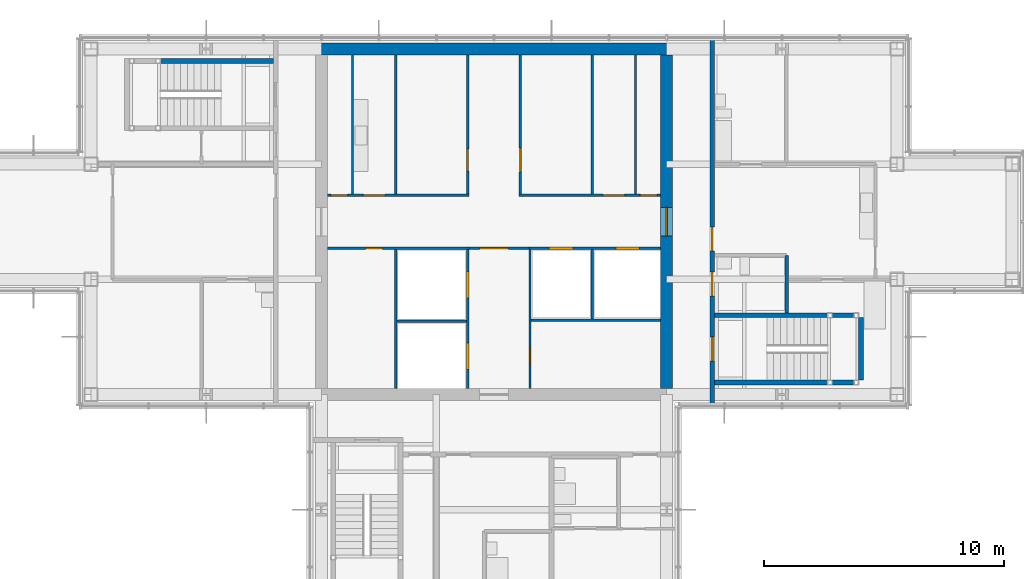
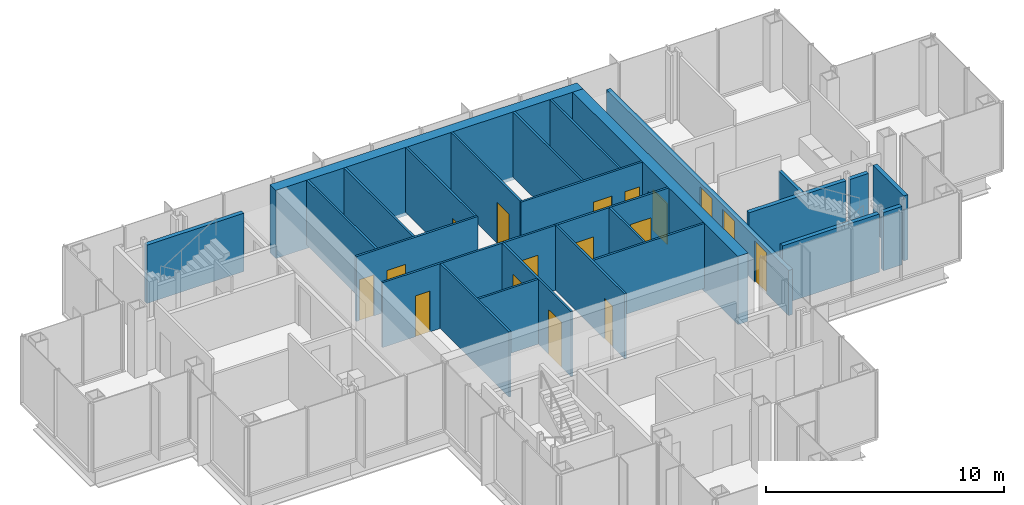
# One storey, part 11 of 15: 27 walls, 17 doors, 17 openings.
"""IFC4 building model written with IfcOpenShell, lengths in metres."""

import ifcopenshell
import ifcopenshell.guid

model = None  # the IFC model being written
_history = None  # IfcOwnerHistory: only IFC2X3 demands one
_inside = {}  # id of a spatial element -> (the spatial element, [elements in it])
_under = {}  # id of a project, library or spatial element -> (it, [spatial elements below it])
_declared = {}  # id of a project -> (the project, [libraries it declares])
_typed = {}  # id of a type object -> (the type object, [elements of that type])
_made_of = {}  # id of a material, layer set ... -> (it, [elements and type objects made of it])


def new_model(schema):
    """Start an empty IFC model of exactly this schema.

    Asked for "IFC4X3", IfcOpenShell would pick the latest addendum, in which some entities
    have other attributes; the version numbers below select the first issue.
    IFC2X3 requires an IfcOwnerHistory on every rooted entity: one is made here for all.
    """
    global model, _history
    if schema == "IFC4X3":
        model = ifcopenshell.file(schema_version=(4, 3, 0, 0))
    else:
        model = ifcopenshell.file(schema=schema)
    _inside.clear()
    _under.clear()
    _declared.clear()
    _typed.clear()
    _made_of.clear()
    _history = None
    if model.schema == "IFC2X3":
        org = make("IfcOrganization", Name="unknown")
        user = make(
            "IfcPersonAndOrganization",
            ThePerson=make("IfcPerson", FamilyName="unknown"),
            TheOrganization=org,
        )
        app = make(
            "IfcApplication",
            ApplicationDeveloper=org,
            Version="unknown",
            ApplicationFullName="unknown",
            ApplicationIdentifier="unknown",
        )
        _history = make(
            "IfcOwnerHistory",
            OwningUser=user,
            OwningApplication=app,
            ChangeAction="ADDED",
            CreationDate=0,
        )
    return model


def make(cls, **values):
    """One entity of the class cls with the attributes given. An attribute that is None is left unset."""
    return model.create_entity(
        cls, **{name: value for name, value in values.items() if value is not None}
    )


def rooted(cls, **values):
    """An entity with a GlobalId (a new one), such as an element, a storey or a relation."""
    return make(cls, GlobalId=ifcopenshell.guid.new(), OwnerHistory=_history, **values)


def si_unit(unit_type, name, prefix=None):
    """IfcSIUnit, for example si_unit("LENGTHUNIT", "METRE", prefix="MILLI")."""
    return make("IfcSIUnit", UnitType=unit_type, Prefix=prefix, Name=name)


def assignment(units):
    """IfcUnitAssignment: the units of a project."""
    return None if units is None else make("IfcUnitAssignment", Units=units)


def point(xyz):
    """IfcCartesianPoint."""
    return None if xyz is None else make("IfcCartesianPoint", Coordinates=xyz)


def direction(xyz):
    """IfcDirection."""
    return None if xyz is None else make("IfcDirection", DirectionRatios=xyz)


def frame(location, z_axis=None, x_axis=None):
    """IfcAxis2Placement3D, a coordinate frame: its origin and axes. An axis left out is left unset."""
    return make(
        "IfcAxis2Placement3D",
        Location=point(location),
        Axis=direction(z_axis),
        RefDirection=direction(x_axis),
    )


def frame_2d(location, x_axis=None):
    """IfcAxis2Placement2D, a coordinate frame in the plane: its origin and x axis."""
    return make(
        "IfcAxis2Placement2D", Location=point(location), RefDirection=direction(x_axis)
    )


def origin():
    """The frame at (0, 0, 0) with its axes left unset."""
    return frame((0.0, 0.0, 0.0))


def place(relative_to, where):
    """IfcLocalPlacement: puts the frame where relative to a parent placement (None: the world)."""
    return make(
        "IfcLocalPlacement", PlacementRelTo=relative_to, RelativePlacement=where
    )


def context(
    kind, dimensions, precision=None, world=None, true_north=None, identifier=None
):
    """IfcGeometricRepresentationContext, for example the 3D "Model" context."""
    return make(
        "IfcGeometricRepresentationContext",
        ContextIdentifier=identifier,
        ContextType=kind,
        CoordinateSpaceDimension=dimensions,
        Precision=precision,
        WorldCoordinateSystem=world,
        TrueNorth=true_north,
    )


def subcontext(parent, identifier, kind, view, scale=None):
    """IfcGeometricRepresentationSubContext, for example "Body" below "Model"."""
    return make(
        "IfcGeometricRepresentationSubContext",
        ContextIdentifier=identifier,
        ContextType=kind,
        ParentContext=parent,
        TargetScale=scale,
        TargetView=view,
    )


def project(units=None, contexts=None):
    """IfcProject with its units and contexts."""
    return rooted(
        "IfcProject",
        Name="project",
        RepresentationContexts=contexts,
        UnitsInContext=assignment(units),
    )


def spatial(cls, under=None, at=None, **own):
    """A site, building, storey or space (cls), placed at a placement, below another one or the project."""
    s = rooted(cls, ObjectPlacement=at, **own)
    if under is not None:
        _under.setdefault(under.id(), (under, []))[1].append(s)
    return s


def profile(cls, at=None, kind="AREA", **sizes):
    """A parametric profile (cls). Its sizes go by their IFC names, for example OverallWidth=200.0."""
    return make(cls, ProfileType=kind, Position=at, **sizes)


def rectangle(**sizes):
    """IfcRectangleProfileDef."""
    return profile("IfcRectangleProfileDef", **sizes)


def extrude(swept, where, along, depth):
    """IfcExtrudedAreaSolid: the profile swept, set in the frame where, extruded along a direction by depth."""
    return make(
        "IfcExtrudedAreaSolid",
        SweptArea=swept,
        Position=where,
        ExtrudedDirection=direction(along),
        Depth=depth,
    )


def shape(context_of_items, identifier, shape_type, items):
    """IfcShapeRepresentation: the items that make up one representation, for example the "Body"."""
    return make(
        "IfcShapeRepresentation",
        ContextOfItems=context_of_items,
        RepresentationIdentifier=identifier,
        RepresentationType=shape_type,
        Items=items,
    )


def material(Name=None, Category=None):
    """IfcMaterial."""
    return make("IfcMaterial", Name=Name, Category=Category)


def layer(
    of_material, thickness, ventilated=None, Name=None, Category=None, Priority=None
):
    """IfcMaterialLayer: one layer of a wall or slab, of a material (None: an air gap)."""
    return make(
        "IfcMaterialLayer",
        Material=of_material,
        LayerThickness=thickness,
        IsVentilated=ventilated,
        Name=Name,
        Category=Category,
        Priority=Priority,
    )


def layer_set(layers, Name=None):
    """IfcMaterialLayerSet."""
    return make("IfcMaterialLayerSet", MaterialLayers=layers, LayerSetName=Name)


def made_of(thing, what):
    """Note that an element or type object is made of a material, layer set ...; save() writes the relation."""
    if what is not None:
        _made_of.setdefault(what.id(), (what, []))[1].append(thing)
    return thing


def type_object(cls, material=None, **own):
    """A type object (cls), such as IfcWallType, which elements share."""
    return made_of(rooted(cls, **own), material)


def element(
    cls,
    number,
    at=None,
    inside=None,
    cuts=None,
    type_object=None,
    material=None,
    context=None,
    identifier="Body",
    shape_type=None,
    held_by="IfcProductDefinitionShape",
    body=None,
    shapes=None,
    **own,
):
    """One element of the class cls, such as IfcWall. Its Tag is "e" and its number.

    at: its placement. inside: the storey or other place that contains it. cuts: it is an
    opening in that element (IfcRelVoidsElement). A single representation is given by context,
    identifier, shape_type and body (its items); several are given by shapes. held_by: the class
    of the entity that holds the representations. save() writes the other relations.
    """
    e = rooted(cls, Tag="e%d" % number, ObjectPlacement=at, **own)
    if body is not None:
        shapes = [shape(context, identifier, shape_type, body)]
    if shapes is not None:
        e.Representation = make(held_by, Representations=shapes)
    if inside is not None:
        _inside.setdefault(inside.id(), (inside, []))[1].append(e)
    if cuts is not None:
        rooted(
            "IfcRelVoidsElement", RelatingBuildingElement=cuts, RelatedOpeningElement=e
        )
    if type_object is not None:
        _typed.setdefault(type_object.id(), (type_object, []))[1].append(e)
    return made_of(e, material)


def fill(opening, filler):
    """IfcRelFillsElement: the door or window that sits in an opening."""
    return rooted(
        "IfcRelFillsElement",
        RelatingOpeningElement=opening,
        RelatedBuildingElement=filler,
    )


def aggregate(whole, parts):
    """IfcRelAggregates: a whole, such as a stair, and the parts it consists of."""
    return rooted("IfcRelAggregates", RelatingObject=whole, RelatedObjects=parts)


def save(model, path):
    """Write the relations noted so far, then the file.

    IfcRelAggregates (storeys below a building ...), IfcRelContainedInSpatialStructure (elements
    in a storey), IfcRelDefinesByType, IfcRelAssociatesMaterial and IfcRelDeclares: one each for
    every whole, place, type object, material and project.
    """
    for whole, parts in _under.values():
        aggregate(whole, parts)
    for where, things in _inside.values():
        rooted(
            "IfcRelContainedInSpatialStructure",
            RelatedElements=things,
            RelatingStructure=where,
        )
    for kind, things in _typed.values():
        rooted("IfcRelDefinesByType", RelatedObjects=things, RelatingType=kind)
    for what, things in _made_of.values():
        rooted("IfcRelAssociatesMaterial", RelatedObjects=things, RelatingMaterial=what)
    for by, libraries in _declared.values():
        rooted("IfcRelDeclares", RelatingContext=by, RelatedDefinitions=libraries)
    model.write(path)


model = new_model("IFC4")

# Units and contexts
model_context = context("Model", 3, precision=1e-05, world=origin(), true_north=direction((0.0, 1.0)))
body_context = subcontext(model_context, "Body", "Model", "MODEL_VIEW")
ifc_project = project(units=[si_unit("LENGTHUNIT", "METRE"), si_unit("AREAUNIT", "SQUARE_METRE"), si_unit("VOLUMEUNIT", "CUBIC_METRE"), si_unit("PLANEANGLEUNIT", "RADIAN"), si_unit("MASSUNIT", "GRAM", prefix="KILO")], contexts=[model_context])

# Site, building, storey
site_placement = place(None, origin())
site = spatial("IfcSite", under=ifc_project, at=site_placement, CompositionType="ELEMENT")
building_placement = place(site_placement, origin())
building = spatial("IfcBuilding", under=site, at=building_placement, Name="Kvirike Care Tower", CompositionType="ELEMENT")
storey_placement = place(building_placement, frame((0.0, 0.0, 236.5)))
storey = spatial("IfcBuildingStorey", under=building, at=storey_placement, Name="L65", CompositionType="ELEMENT", Elevation=236.5)

# Walls
ifc_material_1 = material(Name="Moisture-resistant board partition", Category="gypsum")
ifc_layer_1 = layer(ifc_material_1, 0.14990234375)
ifc_layer_set_1 = layer_set([ifc_layer_1], Name="BATHROOM WALL 150")
wall_type_1 = type_object("IfcWallType", Name="BATHROOM WALL 150", PredefinedType="PARTITIONING", material=ifc_layer_set_1)
wall_1_placement = place(storey_placement, frame((33.800048828125, 32.199951171875, 0.0), z_axis=(0.0, 0.0, 1.0), x_axis=(0.0, 1.0, 0.0)))
element("IfcWall", 1, at=wall_1_placement, inside=storey, type_object=wall_type_1, Name="Bathroom Wall 150 L65", PredefinedType="PARTITIONING", context=body_context, shape_type="SweptSolid", body=[
    extrude(rectangle(XDim=2.400146484375, YDim=0.14990234375, at=frame_2d((1.2001953125, 0.0))), origin(), (0.0, 0.0, 1.0), 2.550048828125),
])
ifc_material_2 = material(Name="Concrete C40/50", Category="concrete")
ifc_layer_2 = layer(ifc_material_2, 0.5)
ifc_layer_set_2 = layer_set([ifc_layer_2], Name="CORE WALL 500 C40-50")
wall_type_2 = type_object("IfcWallType", Name="CORE WALL 500 C40-50", PredefinedType="SHEAR", material=ifc_layer_set_2)
wall_2_placement = place(storey_placement, frame((29.050048828125, 43.199951171875, -0.169921875), z_axis=(0.0, 0.0, 1.0), x_axis=(-1.0, 0.0, 0.0)))
element("IfcWall", 2, at=wall_2_placement, inside=storey, type_object=wall_type_2, Name="Core wall N L65", PredefinedType="SHEAR", context=body_context, shape_type="SweptSolid", body=[
    extrude(rectangle(XDim=14.900146484375, YDim=0.5, at=frame_2d((7.4501953125, 0.0))), origin(), (0.0, 0.0, 1.0), 3.5),
])

# Wall, opening, door
wall_3_placement = place(storey_placement, frame((28.800048828125, 29.050048828125, -0.169921875), z_axis=(0.0, 0.0, 1.0), x_axis=(0.0, 1.0, 0.0)))
wall_3 = element("IfcWall", 3, at=wall_3_placement, inside=storey, type_object=wall_type_2, Name="Core wall E L65", PredefinedType="SHEAR", context=body_context, shape_type="SweptSolid", body=[
    extrude(rectangle(XDim=13.89990234375, YDim=0.5, at=frame_2d((6.949951171875, 0.0))), origin(), (0.0, 0.0, 1.0), 3.5),
])
opening_1_placement = place(wall_3_placement, frame((6.35009765625, 0.0, 0.169921875)))
opening_1 = element("IfcOpeningElement", 4, at=opening_1_placement, cuts=wall_3, Name="Opening 65-036", PredefinedType="OPENING", context=body_context, shape_type="SweptSolid", body=[
    extrude(rectangle(XDim=1.199951171875, YDim=2.10009765625, at=frame_2d((0.60009765625, 1.050048828125))), frame((0.0, 0.260498046875, 0.0), z_axis=(0.0, -1.0, 0.0), x_axis=(1.0, 0.0, 0.0)), (0.0, 0.0, 1.0), 0.52099609375),
])
ifc_material_3 = material(Name="Timber door set", Category="wood")
door_type_1 = type_object("IfcDoorType", Name="CORE DOOR 1200", OperationType="SINGLE_SWING_LEFT", PredefinedType="DOOR", material=ifc_material_3)
door_1_placement = place(opening_1_placement, origin())
door_1 = element("IfcDoor", 5, at=door_1_placement, inside=storey, type_object=door_type_1, Name="Core door E L65", OperationType="SINGLE_SWING_LEFT", OverallHeight=2.10009765625, OverallWidth=1.199951171875, PredefinedType="DOOR", context=body_context, shape_type="SweptSolid", body=[
    extrude(rectangle(XDim=1.199951171875, YDim=2.10009765625, at=frame_2d((0.60009765625, 1.050048828125))), frame((0.0, 0.02685546875, 0.0), z_axis=(0.0, -1.0, 0.0), x_axis=(1.0, 0.0, 0.0)), (0.0, 0.0, 1.0), 0.053955078125),
])
fill(opening_1, door_1)

# Wall, openings, doors
ifc_material_4 = material(Name="Plasterboard corridor wall", Category="gypsum")
ifc_layer_3 = layer(ifc_material_4, 0.199951171875)
ifc_layer_set_3 = layer_set([ifc_layer_3], Name="CORRIDOR WALL 200")
wall_type_3 = type_object("IfcWallType", Name="CORRIDOR WALL 200", PredefinedType="PARTITIONING", material=ifc_layer_set_3)
wall_4_placement = place(storey_placement, frame((30.699951171875, 28.344970703125, 0.0), z_axis=(0.0, 0.0, 1.0), x_axis=(0.0, 1.0, 0.0)))
wall_4 = element("IfcWall", 6, at=wall_4_placement, inside=storey, type_object=wall_type_3, Name="Corridor Wall 200 L65", PredefinedType="PARTITIONING", context=body_context, shape_type="SweptSolid", body=[
    extrude(rectangle(XDim=15.31005859375, YDim=0.199951171875, at=frame_2d((7.655029296875, 0.0))), origin(), (0.0, 0.0, 1.0), 2.320068359375),
])
opening_2_placement = place(wall_4_placement, frame((1.85498046875, 0.0, 0.0)))
opening_2 = element("IfcOpeningElement", 7, at=opening_2_placement, cuts=wall_4, Name="Opening 65-018", PredefinedType="OPENING", context=body_context, shape_type="SweptSolid", body=[
    extrude(rectangle(XDim=1.0, YDim=2.10009765625, at=frame_2d((0.5, 1.050048828125))), frame((0.0, 0.110595703125, 0.0), z_axis=(0.0, -1.0, 0.0), x_axis=(1.0, 0.0, 0.0)), (0.0, 0.0, 1.0), 0.220947265625),
])
opening_3_placement = place(wall_4_placement, frame((4.554931640625, 0.0, 0.0)))
opening_3 = element("IfcOpeningElement", 8, at=opening_3_placement, cuts=wall_4, Name="Opening 65-019", PredefinedType="OPENING", context=body_context, shape_type="SweptSolid", body=[
    extrude(rectangle(XDim=1.0, YDim=2.10009765625, at=frame_2d((0.5, 1.050048828125))), frame((0.0, 0.110595703125, 0.0), z_axis=(0.0, -1.0, 0.0), x_axis=(1.0, 0.0, 0.0)), (0.0, 0.0, 1.0), 0.220947265625),
])
opening_4_placement = place(wall_4_placement, frame((6.429931640625, 0.0, 0.0)))
opening_4 = element("IfcOpeningElement", 9, at=opening_4_placement, cuts=wall_4, Name="Opening 65-020", PredefinedType="OPENING", context=body_context, shape_type="SweptSolid", body=[
    extrude(rectangle(XDim=1.0, YDim=2.10009765625, at=frame_2d((0.5, 1.050048828125))), frame((0.0, 0.110595703125, 0.0), z_axis=(0.0, -1.0, 0.0), x_axis=(1.0, 0.0, 0.0)), (0.0, 0.0, 1.0), 0.220947265625),
])
ifc_material_5 = material(Name="Timber door set", Category="wood")
door_type_2 = type_object("IfcDoorType", Name="FLAT ENTRANCE DOOR 1000", OperationType="SINGLE_SWING_LEFT", PredefinedType="DOOR", material=ifc_material_5)
door_2_placement = place(opening_4_placement, frame((1.0, 0.0, 0.0), z_axis=(0.0, 0.0, 1.0), x_axis=(-1.0, 0.0, 0.0)))
door_2 = element("IfcDoor", 10, at=door_2_placement, inside=storey, type_object=door_type_2, Name="One-bedroom apartment entrance", OperationType="SINGLE_SWING_LEFT", OverallHeight=2.10009765625, OverallWidth=1.0, PredefinedType="DOOR", context=body_context, shape_type="SweptSolid", body=[
    extrude(rectangle(XDim=1.0, YDim=2.10009765625, at=frame_2d((0.5, 1.050048828125))), frame((0.0, 0.02685546875, 0.0), z_axis=(0.0, -1.0, 0.0), x_axis=(1.0, 0.0, 0.0)), (0.0, 0.0, 1.0), 0.053955078125),
])
fill(opening_4, door_2)
ifc_material_6 = material(Name="Timber door set", Category="wood")
door_type_3 = type_object("IfcDoorType", Name="STAIR DOOR 1000", OperationType="SINGLE_SWING_LEFT", PredefinedType="DOOR", material=ifc_material_6)
door_3_placement = place(opening_2_placement, frame((1.0, 0.0, 0.0), z_axis=(0.0, 0.0, 1.0), x_axis=(-1.0, 0.0, 0.0)))
door_3 = element("IfcDoor", 11, at=door_3_placement, inside=storey, type_object=door_type_3, Name="Stair 2 door", OperationType="SINGLE_SWING_LEFT", OverallHeight=2.10009765625, OverallWidth=1.0, PredefinedType="DOOR", context=body_context, shape_type="SweptSolid", body=[
    extrude(rectangle(XDim=1.0, YDim=2.10009765625, at=frame_2d((0.5, 1.050048828125))), frame((0.0, 0.031982421875, 0.0), z_axis=(0.0, -1.0, 0.0), x_axis=(1.0, 0.0, 0.0)), (0.0, 0.0, 1.0), 0.06396484375),
])
fill(opening_2, door_3)
ifc_material_7 = material(Name="Timber door set", Category="wood")
door_type_4 = type_object("IfcDoorType", Name="WC DOOR 1000", OperationType="SINGLE_SWING_LEFT", PredefinedType="DOOR", material=ifc_material_7)
door_4_placement = place(opening_3_placement, frame((1.0, 0.0, 0.0), z_axis=(0.0, 0.0, 1.0), x_axis=(-1.0, 0.0, 0.0)))
door_4 = element("IfcDoor", 12, at=door_4_placement, inside=storey, type_object=door_type_4, Name="Accessible WC door", OperationType="SINGLE_SWING_LEFT", OverallHeight=2.10009765625, OverallWidth=1.0, PredefinedType="DOOR", context=body_context, shape_type="SweptSolid", body=[
    extrude(rectangle(XDim=1.0, YDim=2.10009765625, at=frame_2d((0.5, 1.050048828125))), frame((0.0, 0.02685546875, 0.0), z_axis=(0.0, -1.0, 0.0), x_axis=(1.0, 0.0, 0.0)), (0.0, 0.0, 1.0), 0.053955078125),
])
fill(opening_3, door_4)

# Walls
ifc_material_8 = material(Name="Gypsum shaft wall system", Category="gypsum")
ifc_layer_4 = layer(ifc_material_8, 0.10009765625)
ifc_layer_set_4 = layer_set([ifc_layer_4], Name="SHAFT WALL 100")
wall_type_4 = type_object("IfcWallType", Name="SHAFT WALL 100", PredefinedType="SOLIDWALL", material=ifc_layer_set_4)
for number, where, z_axis, x_axis, name in (
    (13, (15.699951171875, 37.14990234375, 0.0), (0.0, 0.0, 1.0), (0.0, 1.0, 0.0), "Shaft Wall 100 L65"),
    (14, (27.5, 37.14990234375, 0.0), (0.0, 0.0, 1.0), (0.0, 1.0, 0.0), "Shaft Wall 100 L65"),
):
    element("IfcWall", number, at=place(storey_placement, frame(where, z_axis=z_axis, x_axis=x_axis)), inside=storey, type_object=wall_type_4, Name=name, PredefinedType="SOLIDWALL", context=body_context, shape_type="SweptSolid", body=[
        extrude(rectangle(XDim=5.800048828125, YDim=0.10009765625, at=frame_2d((2.89990234375, 0.0))), origin(), (0.0, 0.0, 1.0), 3.330078125),
    ])

# Wall, openings, doors
wall_5_placement = place(storey_placement, frame((20.5, 29.050048828125, 0.0), z_axis=(0.0, 0.0, 1.0), x_axis=(0.0, 1.0, 0.0)))
wall_5 = element("IfcWall", 15, at=wall_5_placement, inside=storey, type_object=wall_type_4, Name="Shaft Wall 100 L65", PredefinedType="SOLIDWALL", context=body_context, shape_type="SweptSolid", body=[
    extrude(rectangle(XDim=5.800048828125, YDim=0.10009765625, at=frame_2d((2.89990234375, 0.0))), origin(), (0.0, 0.0, 1.0), 3.330078125),
])
opening_5_placement = place(wall_5_placement, frame((0.800048828125, 0.0, 0.0)))
opening_5 = element("IfcOpeningElement", 16, at=opening_5_placement, cuts=wall_5, Name="Opening 65-021", PredefinedType="OPENING", context=body_context, shape_type="SweptSolid", body=[
    extrude(rectangle(XDim=1.10009765625, YDim=2.300048828125, at=frame_2d((0.550048828125, 1.14990234375))), frame((0.0, 0.060546875, 0.0), z_axis=(0.0, -1.0, 0.0), x_axis=(1.0, 0.0, 0.0)), (0.0, 0.0, 1.0), 0.12109375),
])
opening_6_placement = place(wall_5_placement, frame((3.77490234375, 0.0, 0.0)))
opening_6 = element("IfcOpeningElement", 17, at=opening_6_placement, cuts=wall_5, Name="Opening 65-022", PredefinedType="OPENING", context=body_context, shape_type="SweptSolid", body=[
    extrude(rectangle(XDim=1.10009765625, YDim=2.300048828125, at=frame_2d((0.550048828125, 1.14990234375))), frame((0.0, 0.060546875, 0.0), z_axis=(0.0, -1.0, 0.0), x_axis=(1.0, 0.0, 0.0)), (0.0, 0.0, 1.0), 0.12109375),
])
ifc_material_9 = material(Name="Aluminium door frame", Category="aluminium")
door_type_5 = type_object("IfcDoorType", Name="FIRE-FIGHTING LIFT LANDING DOOR 1100", OperationType="SLIDING_TO_LEFT", PredefinedType="DOOR", material=ifc_material_9)
door_5_placement = place(opening_5_placement, origin())
door_5 = element("IfcDoor", 18, at=door_5_placement, inside=storey, type_object=door_type_5, Name="Lift FF1 landing door", OperationType="SLIDING_TO_LEFT", OverallHeight=2.300048828125, OverallWidth=1.10009765625, PredefinedType="DOOR", context=body_context, shape_type="SweptSolid", body=[
    extrude(rectangle(XDim=1.10009765625, YDim=2.300048828125, at=frame_2d((0.550048828125, 1.14990234375))), frame((0.0, 0.0498046875, 0.0), z_axis=(0.0, -1.0, 0.0), x_axis=(1.0, 0.0, 0.0)), (0.0, 0.0, 1.0), 0.099609375),
])
fill(opening_5, door_5)
door_6_placement = place(opening_6_placement, origin())
door_6 = element("IfcDoor", 19, at=door_6_placement, inside=storey, type_object=door_type_5, Name="Lift FF2 landing door", OperationType="SLIDING_TO_LEFT", OverallHeight=2.300048828125, OverallWidth=1.10009765625, PredefinedType="DOOR", context=body_context, shape_type="SweptSolid", body=[
    extrude(rectangle(XDim=1.10009765625, YDim=2.300048828125, at=frame_2d((0.550048828125, 1.14990234375))), frame((0.0, 0.0498046875, 0.0), z_axis=(0.0, -1.0, 0.0), x_axis=(1.0, 0.0, 0.0)), (0.0, 0.0, 1.0), 0.099609375),
])
fill(opening_6, door_6)

# Wall, opening, door
wall_6_placement = place(storey_placement, frame((20.5, 37.14990234375, 0.0), z_axis=(0.0, 0.0, 1.0), x_axis=(0.0, 1.0, 0.0)))
wall_6 = element("IfcWall", 20, at=wall_6_placement, inside=storey, type_object=wall_type_4, Name="Shaft Wall 100 L65", PredefinedType="SOLIDWALL", context=body_context, shape_type="SweptSolid", body=[
    extrude(rectangle(XDim=5.800048828125, YDim=0.10009765625, at=frame_2d((2.89990234375, 0.0))), origin(), (0.0, 0.0, 1.0), 3.330078125),
])
opening_7_placement = place(wall_6_placement, frame((0.97509765625, 0.0, 0.0)))
opening_7 = element("IfcOpeningElement", 21, at=opening_7_placement, cuts=wall_6, Name="Opening 65-023", PredefinedType="OPENING", context=body_context, shape_type="SweptSolid", body=[
    extrude(rectangle(XDim=0.89990234375, YDim=2.10009765625, at=frame_2d((0.449951171875, 1.050048828125))), frame((0.0, 0.060546875, 0.0), z_axis=(0.0, -1.0, 0.0), x_axis=(1.0, 0.0, 0.0)), (0.0, 0.0, 1.0), 0.12109375),
])
ifc_material_10 = material(Name="Timber door set", Category="wood")
door_type_6 = type_object("IfcDoorType", Name="STORE DOOR 900", OperationType="SINGLE_SWING_LEFT", PredefinedType="DOOR", material=ifc_material_10)
door_7_placement = place(opening_7_placement, origin())
door_7 = element("IfcDoor", 22, at=door_7_placement, inside=storey, type_object=door_type_6, Name="Records store door", OperationType="SINGLE_SWING_RIGHT", OverallHeight=2.10009765625, OverallWidth=0.89990234375, PredefinedType="DOOR", context=body_context, shape_type="SweptSolid", body=[
    extrude(rectangle(XDim=0.89990234375, YDim=2.10009765625, at=frame_2d((0.449951171875, 1.050048828125))), frame((0.0, 0.02685546875, 0.0), z_axis=(0.0, -1.0, 0.0), x_axis=(1.0, 0.0, 0.0)), (0.0, 0.0, 1.0), 0.053955078125),
])
fill(opening_7, door_7)

wall_7_placement = place(storey_placement, frame((22.699951171875, 37.14990234375, 0.0), z_axis=(0.0, 0.0, 1.0), x_axis=(0.0, 1.0, 0.0)))
wall_7 = element("IfcWall", 23, at=wall_7_placement, inside=storey, type_object=wall_type_4, Name="Shaft Wall 100 L65", PredefinedType="SOLIDWALL", context=body_context, shape_type="SweptSolid", body=[
    extrude(rectangle(XDim=5.800048828125, YDim=0.10009765625, at=frame_2d((2.89990234375, 0.0))), origin(), (0.0, 0.0, 1.0), 3.330078125),
])
opening_8_placement = place(wall_7_placement, frame((0.925048828125, 0.0, 0.0)))
opening_8 = element("IfcOpeningElement", 24, at=opening_8_placement, cuts=wall_7, Name="Opening 65-024", PredefinedType="OPENING", context=body_context, shape_type="SweptSolid", body=[
    extrude(rectangle(XDim=1.0, YDim=2.10009765625, at=frame_2d((0.5, 1.050048828125))), frame((0.0, 0.060546875, 0.0), z_axis=(0.0, -1.0, 0.0), x_axis=(1.0, 0.0, 0.0)), (0.0, 0.0, 1.0), 0.12109375),
])
door_8_placement = place(opening_8_placement, frame((1.0, 0.0, 0.0), z_axis=(0.0, 0.0, 1.0), x_axis=(-1.0, 0.0, 0.0)))
door_8 = element("IfcDoor", 25, at=door_8_placement, inside=storey, type_object=door_type_4, Name="Staff WC door", OperationType="SINGLE_SWING_LEFT", OverallHeight=2.10009765625, OverallWidth=1.0, PredefinedType="DOOR", context=body_context, shape_type="SweptSolid", body=[
    extrude(rectangle(XDim=1.0, YDim=2.10009765625, at=frame_2d((0.5, 1.050048828125))), frame((0.0, 0.02685546875, 0.0), z_axis=(0.0, -1.0, 0.0), x_axis=(1.0, 0.0, 0.0)), (0.0, 0.0, 1.0), 0.053955078125),
])
fill(opening_8, door_8)

wall_8_placement = place(storey_placement, frame((23.10009765625, 29.050048828125, 0.0), z_axis=(0.0, 0.0, 1.0), x_axis=(0.0, 1.0, 0.0)))
wall_8 = element("IfcWall", 26, at=wall_8_placement, inside=storey, type_object=wall_type_4, Name="Shaft Wall 100 L65", PredefinedType="SOLIDWALL", context=body_context, shape_type="SweptSolid", body=[
    extrude(rectangle(XDim=5.800048828125, YDim=0.10009765625, at=frame_2d((2.89990234375, 0.0))), origin(), (0.0, 0.0, 1.0), 3.330078125),
])
opening_9_placement = place(wall_8_placement, frame((1.0, 0.0, 0.0)))
opening_9 = element("IfcOpeningElement", 27, at=opening_9_placement, cuts=wall_8, Name="Opening 65-025", PredefinedType="OPENING", context=body_context, shape_type="SweptSolid", body=[
    extrude(rectangle(XDim=0.699951171875, YDim=2.10009765625, at=frame_2d((0.35009765625, 1.050048828125))), frame((0.0, 0.060546875, 0.0), z_axis=(0.0, -1.0, 0.0), x_axis=(1.0, 0.0, 0.0)), (0.0, 0.0, 1.0), 0.12109375),
])
ifc_material_11 = material(Name="Timber door set", Category="wood")
door_type_7 = type_object("IfcDoorType", Name="RISER DOOR 700", OperationType="SINGLE_SWING_LEFT", PredefinedType="DOOR", material=ifc_material_11)
door_9_placement = place(opening_9_placement, origin())
door_9 = element("IfcDoor", 28, at=door_9_placement, inside=storey, type_object=door_type_7, Name="Riser door", OperationType="SINGLE_SWING_RIGHT", OverallHeight=2.10009765625, OverallWidth=0.699951171875, PredefinedType="DOOR", context=body_context, shape_type="SweptSolid", body=[
    extrude(rectangle(XDim=0.699951171875, YDim=2.10009765625, at=frame_2d((0.35009765625, 1.050048828125))), frame((0.0, 0.02685546875, 0.0), z_axis=(0.0, -1.0, 0.0), x_axis=(1.0, 0.0, 0.0)), (0.0, 0.0, 1.0), 0.053955078125),
])
fill(opening_9, door_9)

wall_9_placement = place(storey_placement, frame((14.64990234375, 34.89990234375, 0.0), z_axis=(0.0, 0.0, 1.0), x_axis=(1.0, 0.0, 0.0)))
wall_9 = element("IfcWall", 29, at=wall_9_placement, inside=storey, type_object=wall_type_4, Name="Shaft Wall 100 L65", PredefinedType="SOLIDWALL", context=body_context, shape_type="SweptSolid", body=[
    extrude(rectangle(XDim=5.900146484375, YDim=0.10009765625, at=frame_2d((2.9501953125, 0.0))), origin(), (0.0, 0.0, 1.0), 3.330078125),
])
opening_10_placement = place(wall_9_placement, frame((1.60009765625, 0.0, 0.0)))
opening_10 = element("IfcOpeningElement", 30, at=opening_10_placement, cuts=wall_9, Name="Opening 65-026", PredefinedType="OPENING", context=body_context, shape_type="SweptSolid", body=[
    extrude(rectangle(XDim=0.699951171875, YDim=2.10009765625, at=frame_2d((0.35009765625, 1.050048828125))), frame((0.0, 0.060546875, 0.0), z_axis=(0.0, -1.0, 0.0), x_axis=(1.0, 0.0, 0.0)), (0.0, 0.0, 1.0), 0.12109375),
])
door_10_placement = place(opening_10_placement, frame((0.699951171875, 0.0, 0.0), z_axis=(0.0, 0.0, 1.0), x_axis=(-1.0, 0.0, 0.0)))
door_10 = element("IfcDoor", 31, at=door_10_placement, inside=storey, type_object=door_type_7, Name="Riser door", OperationType="SINGLE_SWING_RIGHT", OverallHeight=2.10009765625, OverallWidth=0.699951171875, PredefinedType="DOOR", context=body_context, shape_type="SweptSolid", body=[
    extrude(rectangle(XDim=0.699951171875, YDim=2.10009765625, at=frame_2d((0.35009765625, 1.050048828125))), frame((0.0, 0.02685546875, 0.0), z_axis=(0.0, -1.0, 0.0), x_axis=(1.0, 0.0, 0.0)), (0.0, 0.0, 1.0), 0.053955078125),
])
fill(opening_10, door_10)

# Wall, openings, doors
wall_10_placement = place(storey_placement, frame((23.050048828125, 34.89990234375, 0.0), z_axis=(0.0, 0.0, 1.0), x_axis=(1.0, 0.0, 0.0)))
wall_10 = element("IfcWall", 32, at=wall_10_placement, inside=storey, type_object=wall_type_4, Name="Shaft Wall 100 L65", PredefinedType="SOLIDWALL", context=body_context, shape_type="SweptSolid", body=[
    extrude(rectangle(XDim=5.5, YDim=0.10009765625, at=frame_2d((2.75, 0.0))), origin(), (0.0, 0.0, 1.0), 3.330078125),
])
opening_11_placement = place(wall_10_placement, frame((0.85009765625, 0.0, 0.0)))
opening_11 = element("IfcOpeningElement", 33, at=opening_11_placement, cuts=wall_10, Name="Opening 65-027", PredefinedType="OPENING", context=body_context, shape_type="SweptSolid", body=[
    extrude(rectangle(XDim=1.0, YDim=2.10009765625, at=frame_2d((0.5, 1.050048828125))), frame((0.0, 0.060546875, 0.0), z_axis=(0.0, -1.0, 0.0), x_axis=(1.0, 0.0, 0.0)), (0.0, 0.0, 1.0), 0.12109375),
])
opening_12_placement = place(wall_10_placement, frame((3.625, 0.0, 0.0)))
opening_12 = element("IfcOpeningElement", 34, at=opening_12_placement, cuts=wall_10, Name="Opening 65-028", PredefinedType="OPENING", context=body_context, shape_type="SweptSolid", body=[
    extrude(rectangle(XDim=1.0, YDim=2.10009765625, at=frame_2d((0.5, 1.050048828125))), frame((0.0, 0.060546875, 0.0), z_axis=(0.0, -1.0, 0.0), x_axis=(1.0, 0.0, 0.0)), (0.0, 0.0, 1.0), 0.12109375),
])
ifc_material_12 = material(Name="Aluminium door frame", Category="aluminium")
door_type_8 = type_object("IfcDoorType", Name="LIFT LANDING DOOR 1000", OperationType="SLIDING_TO_LEFT", PredefinedType="DOOR", material=ifc_material_12)
door_11_placement = place(opening_11_placement, origin())
door_11 = element("IfcDoor", 35, at=door_11_placement, inside=storey, type_object=door_type_8, Name="Lift P5 landing door", OperationType="SLIDING_TO_LEFT", OverallHeight=2.10009765625, OverallWidth=1.0, PredefinedType="DOOR", context=body_context, shape_type="SweptSolid", body=[
    extrude(rectangle(XDim=1.0, YDim=2.10009765625, at=frame_2d((0.5, 1.050048828125))), frame((0.0, 0.0498046875, 0.0), z_axis=(0.0, -1.0, 0.0), x_axis=(1.0, 0.0, 0.0)), (0.0, 0.0, 1.0), 0.099609375),
])
fill(opening_11, door_11)
door_12_placement = place(opening_12_placement, origin())
door_12 = element("IfcDoor", 36, at=door_12_placement, inside=storey, type_object=door_type_8, Name="Lift P6 landing door", OperationType="SLIDING_TO_LEFT", OverallHeight=2.10009765625, OverallWidth=1.0, PredefinedType="DOOR", context=body_context, shape_type="SweptSolid", body=[
    extrude(rectangle(XDim=1.0, YDim=2.10009765625, at=frame_2d((0.5, 1.050048828125))), frame((0.0, 0.0498046875, 0.0), z_axis=(0.0, -1.0, 0.0), x_axis=(1.0, 0.0, 0.0)), (0.0, 0.0, 1.0), 0.099609375),
])
fill(opening_12, door_12)

wall_11_placement = place(storey_placement, frame((14.64990234375, 37.10009765625, 0.0), z_axis=(0.0, 0.0, 1.0), x_axis=(1.0, 0.0, 0.0)))
wall_11 = element("IfcWall", 37, at=wall_11_placement, inside=storey, type_object=wall_type_4, Name="Shaft Wall 100 L65", PredefinedType="SOLIDWALL", context=body_context, shape_type="SweptSolid", body=[
    extrude(rectangle(XDim=5.900146484375, YDim=0.10009765625, at=frame_2d((2.9501953125, 0.0))), origin(), (0.0, 0.0, 1.0), 3.330078125),
])
opening_13_placement = place(wall_11_placement, frame((0.14990234375, 0.0, 0.0)))
opening_13 = element("IfcOpeningElement", 38, at=opening_13_placement, cuts=wall_11, Name="Opening 65-029", PredefinedType="OPENING", context=body_context, shape_type="SweptSolid", body=[
    extrude(rectangle(XDim=0.699951171875, YDim=2.10009765625, at=frame_2d((0.35009765625, 1.050048828125))), frame((0.0, 0.060546875, 0.0), z_axis=(0.0, -1.0, 0.0), x_axis=(1.0, 0.0, 0.0)), (0.0, 0.0, 1.0), 0.12109375),
])
opening_14_placement = place(wall_11_placement, frame((1.5, 0.0, 0.0)))
opening_14 = element("IfcOpeningElement", 39, at=opening_14_placement, cuts=wall_11, Name="Opening 65-030", PredefinedType="OPENING", context=body_context, shape_type="SweptSolid", body=[
    extrude(rectangle(XDim=0.89990234375, YDim=2.10009765625, at=frame_2d((0.449951171875, 1.050048828125))), frame((0.0, 0.060546875, 0.0), z_axis=(0.0, -1.0, 0.0), x_axis=(1.0, 0.0, 0.0)), (0.0, 0.0, 1.0), 0.12109375),
])
door_13_placement = place(opening_13_placement, origin())
door_13 = element("IfcDoor", 40, at=door_13_placement, inside=storey, type_object=door_type_7, Name="Riser door", OperationType="SINGLE_SWING_RIGHT", OverallHeight=2.10009765625, OverallWidth=0.699951171875, PredefinedType="DOOR", context=body_context, shape_type="SweptSolid", body=[
    extrude(rectangle(XDim=0.699951171875, YDim=2.10009765625, at=frame_2d((0.35009765625, 1.050048828125))), frame((0.0, 0.02685546875, 0.0), z_axis=(0.0, -1.0, 0.0), x_axis=(1.0, 0.0, 0.0)), (0.0, 0.0, 1.0), 0.053955078125),
])
fill(opening_13, door_13)
door_14_placement = place(opening_14_placement, origin())
door_14 = element("IfcDoor", 41, at=door_14_placement, inside=storey, type_object=door_type_6, Name="Resident pantry door", OperationType="SINGLE_SWING_LEFT", OverallHeight=2.10009765625, OverallWidth=0.89990234375, PredefinedType="DOOR", context=body_context, shape_type="SweptSolid", body=[
    extrude(rectangle(XDim=0.89990234375, YDim=2.10009765625, at=frame_2d((0.449951171875, 1.050048828125))), frame((0.0, 0.02685546875, 0.0), z_axis=(0.0, -1.0, 0.0), x_axis=(1.0, 0.0, 0.0)), (0.0, 0.0, 1.0), 0.053955078125),
])
fill(opening_14, door_14)

wall_12_placement = place(storey_placement, frame((22.64990234375, 37.10009765625, 0.0), z_axis=(0.0, 0.0, 1.0), x_axis=(1.0, 0.0, 0.0)))
wall_12 = element("IfcWall", 42, at=wall_12_placement, inside=storey, type_object=wall_type_4, Name="Shaft Wall 100 L65", PredefinedType="SOLIDWALL", context=body_context, shape_type="SweptSolid", body=[
    extrude(rectangle(XDim=5.900146484375, YDim=0.10009765625, at=frame_2d((2.9501953125, 0.0))), origin(), (0.0, 0.0, 1.0), 3.330078125),
])
opening_15_placement = place(wall_12_placement, frame((3.5, 0.0, 0.0)))
opening_15 = element("IfcOpeningElement", 43, at=opening_15_placement, cuts=wall_12, Name="Opening 65-031", PredefinedType="OPENING", context=body_context, shape_type="SweptSolid", body=[
    extrude(rectangle(XDim=0.89990234375, YDim=2.10009765625, at=frame_2d((0.449951171875, 1.050048828125))), frame((0.0, 0.060546875, 0.0), z_axis=(0.0, -1.0, 0.0), x_axis=(1.0, 0.0, 0.0)), (0.0, 0.0, 1.0), 0.12109375),
])
opening_16_placement = place(wall_12_placement, frame((5.050048828125, 0.0, 0.0)))
opening_16 = element("IfcOpeningElement", 44, at=opening_16_placement, cuts=wall_12, Name="Opening 65-032", PredefinedType="OPENING", context=body_context, shape_type="SweptSolid", body=[
    extrude(rectangle(XDim=0.699951171875, YDim=2.10009765625, at=frame_2d((0.35009765625, 1.050048828125))), frame((0.0, 0.060546875, 0.0), z_axis=(0.0, -1.0, 0.0), x_axis=(1.0, 0.0, 0.0)), (0.0, 0.0, 1.0), 0.12109375),
])
door_15_placement = place(opening_16_placement, origin())
door_15 = element("IfcDoor", 45, at=door_15_placement, inside=storey, type_object=door_type_7, Name="Riser door", OperationType="SINGLE_SWING_LEFT", OverallHeight=2.10009765625, OverallWidth=0.699951171875, PredefinedType="DOOR", context=body_context, shape_type="SweptSolid", body=[
    extrude(rectangle(XDim=0.699951171875, YDim=2.10009765625, at=frame_2d((0.35009765625, 1.050048828125))), frame((0.0, 0.02685546875, 0.0), z_axis=(0.0, -1.0, 0.0), x_axis=(1.0, 0.0, 0.0)), (0.0, 0.0, 1.0), 0.053955078125),
])
fill(opening_16, door_15)
door_16_placement = place(opening_15_placement, origin())
door_16 = element("IfcDoor", 46, at=door_16_placement, inside=storey, type_object=door_type_6, Name="Cleaners store door", OperationType="SINGLE_SWING_LEFT", OverallHeight=2.10009765625, OverallWidth=0.89990234375, PredefinedType="DOOR", context=body_context, shape_type="SweptSolid", body=[
    extrude(rectangle(XDim=0.89990234375, YDim=2.10009765625, at=frame_2d((0.449951171875, 1.050048828125))), frame((0.0, 0.02685546875, 0.0), z_axis=(0.0, -1.0, 0.0), x_axis=(1.0, 0.0, 0.0)), (0.0, 0.0, 1.0), 0.053955078125),
])
fill(opening_15, door_16)

# Wall, opening, door
wall_13_placement = place(storey_placement, frame((20.550048828125, 34.89990234375, 0.0), z_axis=(0.0, 0.0, 1.0), x_axis=(1.0, 0.0, 0.0)))
wall_13 = element("IfcWall", 47, at=wall_13_placement, inside=storey, type_object=wall_type_4, Name="Shaft Wall 100 L65", PredefinedType="SOLIDWALL", context=body_context, shape_type="SweptSolid", body=[
    extrude(rectangle(XDim=2.5, YDim=0.10009765625, at=frame_2d((1.25, 0.0))), origin(), (0.0, 0.0, 1.0), 3.330078125),
])
opening_17_placement = place(wall_13_placement, frame((0.449951171875, 0.0, 0.0)))
opening_17 = element("IfcOpeningElement", 48, at=opening_17_placement, cuts=wall_13, Name="Opening 65-033", PredefinedType="OPENING", context=body_context, shape_type="SweptSolid", body=[
    extrude(rectangle(XDim=1.199951171875, YDim=2.10009765625, at=frame_2d((0.60009765625, 1.050048828125))), frame((0.0, 0.060546875, 0.0), z_axis=(0.0, -1.0, 0.0), x_axis=(1.0, 0.0, 0.0)), (0.0, 0.0, 1.0), 0.12109375),
])
door_17_placement = place(opening_17_placement, frame((1.199951171875, 0.0, 0.0), z_axis=(0.0, 0.0, 1.0), x_axis=(-1.0, 0.0, 0.0)))
door_17 = element("IfcDoor", 49, at=door_17_placement, inside=storey, type_object=door_type_1, Name="Fire-fighting lobby door", OperationType="SINGLE_SWING_LEFT", OverallHeight=2.10009765625, OverallWidth=1.199951171875, PredefinedType="DOOR", context=body_context, shape_type="SweptSolid", body=[
    extrude(rectangle(XDim=1.199951171875, YDim=2.10009765625, at=frame_2d((0.60009765625, 1.050048828125))), frame((0.0, 0.02685546875, 0.0), z_axis=(0.0, -1.0, 0.0), x_axis=(1.0, 0.0, 0.0)), (0.0, 0.0, 1.0), 0.053955078125),
])
fill(opening_17, door_17)

# Walls
wall_14_placement = place(storey_placement, frame((17.5, 29.050048828125, 0.0), z_axis=(0.0, 0.0, 1.0), x_axis=(0.0, 1.0, 0.0)))
element("IfcWall", 50, at=wall_14_placement, inside=storey, type_object=wall_type_4, Name="Shaft Wall 100 L65", PredefinedType="SOLIDWALL", context=body_context, shape_type="SweptSolid", body=[
    extrude(rectangle(XDim=5.800048828125, YDim=0.10009765625, at=frame_2d((2.89990234375, 0.0))), origin(), (0.0, 0.0, 1.0), 3.330078125),
])
wall_15_placement = place(storey_placement, frame((17.550048828125, 31.85009765625, 0.0), z_axis=(0.0, 0.0, 1.0), x_axis=(1.0, 0.0, 0.0)))
element("IfcWall", 51, at=wall_15_placement, inside=storey, type_object=wall_type_4, Name="Shaft Wall 100 L65", PredefinedType="SOLIDWALL", context=body_context, shape_type="SweptSolid", body=[
    extrude(rectangle(XDim=2.89990234375, YDim=0.10009765625, at=frame_2d((1.449951171875, 0.0))), origin(), (0.0, 0.0, 1.0), 3.330078125),
])
for number, where, z_axis, x_axis, name in (
    (52, (17.5, 37.14990234375, 0.0), (0.0, 0.0, 1.0), (0.0, 1.0, 0.0), "Shaft Wall 100 L65"),
    (53, (25.699951171875, 37.14990234375, 0.0), (0.0, 0.0, 1.0), (0.0, 1.0, 0.0), "Shaft Wall 100 L65"),
):
    element("IfcWall", number, at=place(storey_placement, frame(where, z_axis=z_axis, x_axis=x_axis)), inside=storey, type_object=wall_type_4, Name=name, PredefinedType="SOLIDWALL", context=body_context, shape_type="SweptSolid", body=[
        extrude(rectangle(XDim=5.800048828125, YDim=0.10009765625, at=frame_2d((2.89990234375, 0.0))), origin(), (0.0, 0.0, 1.0), 3.330078125),
    ])
wall_16_placement = place(storey_placement, frame((25.699951171875, 31.949951171875, 0.0), z_axis=(0.0, 0.0, 1.0), x_axis=(0.0, 1.0, 0.0)))
element("IfcWall", 54, at=wall_16_placement, inside=storey, type_object=wall_type_4, Name="Shaft Wall 100 L65", PredefinedType="SOLIDWALL", context=body_context, shape_type="SweptSolid", body=[
    extrude(rectangle(XDim=2.900146484375, YDim=0.10009765625, at=frame_2d((1.4501953125, 0.0))), origin(), (0.0, 0.0, 1.0), 3.330078125),
])
wall_17_placement = place(storey_placement, frame((23.14990234375, 31.89990234375, 0.0), z_axis=(0.0, 0.0, 1.0), x_axis=(1.0, 0.0, 0.0)))
element("IfcWall", 55, at=wall_17_placement, inside=storey, type_object=wall_type_4, Name="Shaft Wall 100 L65", PredefinedType="SOLIDWALL", context=body_context, shape_type="SweptSolid", body=[
    extrude(rectangle(XDim=5.400146484375, YDim=0.10009765625, at=frame_2d((2.7001953125, 0.0))), origin(), (0.0, 0.0, 1.0), 3.330078125),
])
ifc_material_13 = material(Name="Concrete C40/50", Category="concrete")
ifc_layer_5 = layer(ifc_material_13, 0.199951171875)
ifc_layer_set_5 = layer_set([ifc_layer_5], Name="STAIR WALL 200")
wall_type_5 = type_object("IfcWallType", Name="STAIR WALL 200", PredefinedType="SOLIDWALL", material=ifc_layer_set_5)
wall_18_placement = place(storey_placement, frame((7.699951171875, 42.699951171875, 0.0), z_axis=(0.0, 0.0, 1.0), x_axis=(1.0, 0.0, 0.0)))
element("IfcWall", 56, at=wall_18_placement, inside=storey, type_object=wall_type_5, Name="Stair Wall 200 L65", PredefinedType="SOLIDWALL", context=body_context, shape_type="SweptSolid", body=[
    extrude(rectangle(XDim=4.699951171875, YDim=0.199951171875, at=frame_2d((2.35009765625, 0.0))), origin(), (0.0, 0.0, 1.0), 2.989990234375),
])
wall_19_placement = place(storey_placement, frame((36.60009765625, 29.300048828125, 0.0), z_axis=(0.0, 0.0, 1.0), x_axis=(-1.0, 0.0, 0.0)))
element("IfcWall", 57, at=wall_19_placement, inside=storey, type_object=wall_type_5, Name="Stair Wall 200 L65", PredefinedType="SOLIDWALL", context=body_context, shape_type="SweptSolid", body=[
    extrude(rectangle(XDim=0.900146484375, YDim=0.199951171875, at=frame_2d((0.4501953125, 0.0))), origin(), (0.0, 0.0, 1.0), 2.989990234375),
])
wall_20_placement = place(storey_placement, frame((35.5, 29.300048828125, 0.0), z_axis=(0.0, 0.0, 1.0), x_axis=(-1.0, 0.0, 0.0)))
element("IfcWall", 58, at=wall_20_placement, inside=storey, type_object=wall_type_5, Name="Stair Wall 200 L65", PredefinedType="SOLIDWALL", context=body_context, shape_type="SweptSolid", body=[
    extrude(rectangle(XDim=4.699951171875, YDim=0.199951171875, at=frame_2d((2.35009765625, 0.0))), origin(), (0.0, 0.0, 1.0), 2.989990234375),
])
wall_21_placement = place(storey_placement, frame((36.60009765625, 32.10009765625, 0.0), z_axis=(0.0, 0.0, 1.0), x_axis=(-1.0, 0.0, 0.0)))
element("IfcWall", 59, at=wall_21_placement, inside=storey, type_object=wall_type_5, Name="Stair Wall 200 L65", PredefinedType="SOLIDWALL", context=body_context, shape_type="SweptSolid", body=[
    extrude(rectangle(XDim=0.900146484375, YDim=0.199951171875, at=frame_2d((0.4501953125, 0.0))), origin(), (0.0, 0.0, 1.0), 2.989990234375),
])
wall_22_placement = place(storey_placement, frame((35.5, 32.10009765625, 0.0), z_axis=(0.0, 0.0, 1.0), x_axis=(-1.0, 0.0, 0.0)))
element("IfcWall", 60, at=wall_22_placement, inside=storey, type_object=wall_type_5, Name="Stair Wall 200 L65", PredefinedType="SOLIDWALL", context=body_context, shape_type="SweptSolid", body=[
    extrude(rectangle(XDim=4.699951171875, YDim=0.199951171875, at=frame_2d((2.35009765625, 0.0))), origin(), (0.0, 0.0, 1.0), 2.989990234375),
])
wall_23_placement = place(storey_placement, frame((36.89990234375, 29.39990234375, 0.0), z_axis=(0.0, 0.0, 1.0), x_axis=(0.0, 1.0, 0.0)))
element("IfcWall", 61, at=wall_23_placement, inside=storey, type_object=wall_type_5, Name="Stair Wall 200 L65", PredefinedType="SOLIDWALL", context=body_context, shape_type="SweptSolid", body=[
    extrude(rectangle(XDim=2.60009765625, YDim=0.199951171875, at=frame_2d((1.300048828125, 0.0))), origin(), (0.0, 0.0, 1.0), 3.330078125),
])

save(model, "model.ifc")
